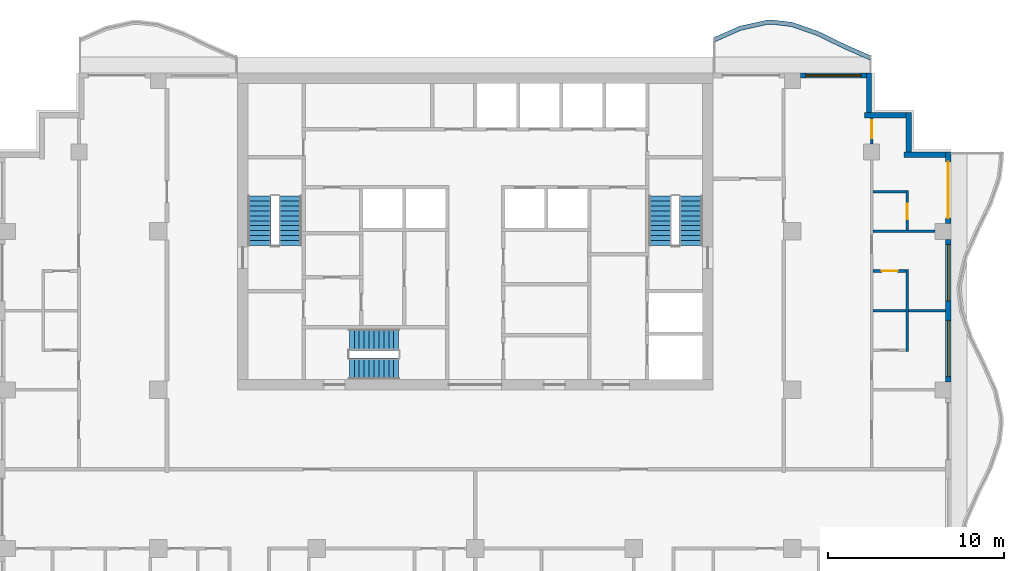
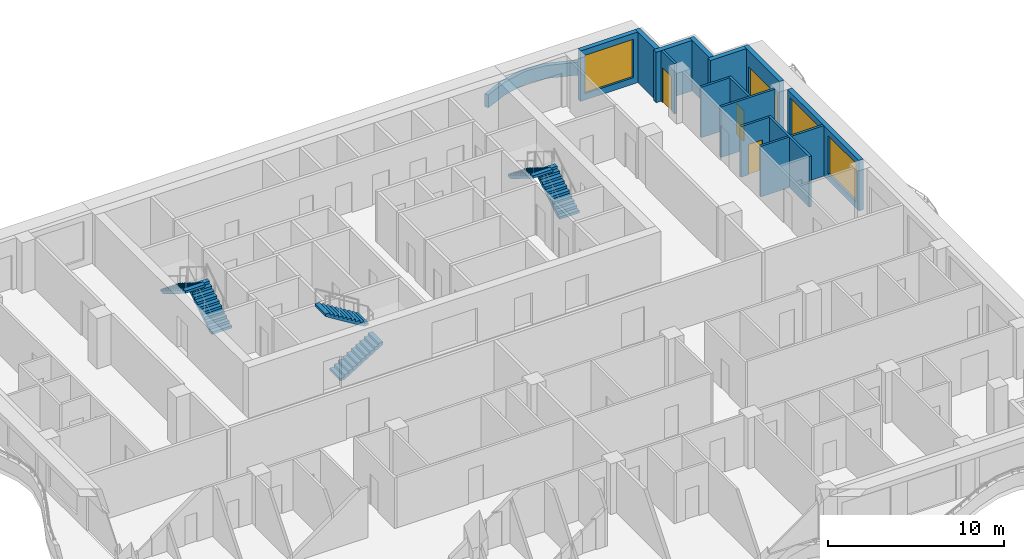
# One storey, part 7 of 11: 16 walls, 6 stair flights, 4 doors, 3 windows, 7 openings, 3 elements without a shape of their own.
"""IFC4 building model written with IfcOpenShell, lengths in metres."""

import ifcopenshell
import ifcopenshell.guid

model = None  # the IFC model being written
_history = None  # IfcOwnerHistory: only IFC2X3 demands one
_inside = {}  # id of a spatial element -> (the spatial element, [elements in it])
_under = {}  # id of a project, library or spatial element -> (it, [spatial elements below it])
_declared = {}  # id of a project -> (the project, [libraries it declares])
_typed = {}  # id of a type object -> (the type object, [elements of that type])
_made_of = {}  # id of a material, layer set ... -> (it, [elements and type objects made of it])


def new_model(schema):
    """Start an empty IFC model of exactly this schema.

    Asked for "IFC4X3", IfcOpenShell would pick the latest addendum, in which some entities
    have other attributes; the version numbers below select the first issue.
    IFC2X3 requires an IfcOwnerHistory on every rooted entity: one is made here for all.
    """
    global model, _history
    if schema == "IFC4X3":
        model = ifcopenshell.file(schema_version=(4, 3, 0, 0))
    else:
        model = ifcopenshell.file(schema=schema)
    _inside.clear()
    _under.clear()
    _declared.clear()
    _typed.clear()
    _made_of.clear()
    _history = None
    if model.schema == "IFC2X3":
        org = make("IfcOrganization", Name="unknown")
        user = make(
            "IfcPersonAndOrganization",
            ThePerson=make("IfcPerson", FamilyName="unknown"),
            TheOrganization=org,
        )
        app = make(
            "IfcApplication",
            ApplicationDeveloper=org,
            Version="unknown",
            ApplicationFullName="unknown",
            ApplicationIdentifier="unknown",
        )
        _history = make(
            "IfcOwnerHistory",
            OwningUser=user,
            OwningApplication=app,
            ChangeAction="ADDED",
            CreationDate=0,
        )
    return model


def make(cls, **values):
    """One entity of the class cls with the attributes given. An attribute that is None is left unset."""
    return model.create_entity(
        cls, **{name: value for name, value in values.items() if value is not None}
    )


def rooted(cls, **values):
    """An entity with a GlobalId (a new one), such as an element, a storey or a relation."""
    return make(cls, GlobalId=ifcopenshell.guid.new(), OwnerHistory=_history, **values)


def si_unit(unit_type, name, prefix=None):
    """IfcSIUnit, for example si_unit("LENGTHUNIT", "METRE", prefix="MILLI")."""
    return make("IfcSIUnit", UnitType=unit_type, Prefix=prefix, Name=name)


def assignment(units):
    """IfcUnitAssignment: the units of a project."""
    return None if units is None else make("IfcUnitAssignment", Units=units)


def point(xyz):
    """IfcCartesianPoint."""
    return None if xyz is None else make("IfcCartesianPoint", Coordinates=xyz)


def direction(xyz):
    """IfcDirection."""
    return None if xyz is None else make("IfcDirection", DirectionRatios=xyz)


def frame(location, z_axis=None, x_axis=None):
    """IfcAxis2Placement3D, a coordinate frame: its origin and axes. An axis left out is left unset."""
    return make(
        "IfcAxis2Placement3D",
        Location=point(location),
        Axis=direction(z_axis),
        RefDirection=direction(x_axis),
    )


def frame_2d(location, x_axis=None):
    """IfcAxis2Placement2D, a coordinate frame in the plane: its origin and x axis."""
    return make(
        "IfcAxis2Placement2D", Location=point(location), RefDirection=direction(x_axis)
    )


def origin():
    """The frame at (0, 0, 0) with its axes left unset."""
    return frame((0.0, 0.0, 0.0))


def place(relative_to, where):
    """IfcLocalPlacement: puts the frame where relative to a parent placement (None: the world)."""
    return make(
        "IfcLocalPlacement", PlacementRelTo=relative_to, RelativePlacement=where
    )


def context(
    kind, dimensions, precision=None, world=None, true_north=None, identifier=None
):
    """IfcGeometricRepresentationContext, for example the 3D "Model" context."""
    return make(
        "IfcGeometricRepresentationContext",
        ContextIdentifier=identifier,
        ContextType=kind,
        CoordinateSpaceDimension=dimensions,
        Precision=precision,
        WorldCoordinateSystem=world,
        TrueNorth=true_north,
    )


def subcontext(parent, identifier, kind, view, scale=None):
    """IfcGeometricRepresentationSubContext, for example "Body" below "Model"."""
    return make(
        "IfcGeometricRepresentationSubContext",
        ContextIdentifier=identifier,
        ContextType=kind,
        ParentContext=parent,
        TargetScale=scale,
        TargetView=view,
    )


def project(units=None, contexts=None):
    """IfcProject with its units and contexts."""
    return rooted(
        "IfcProject",
        Name="project",
        RepresentationContexts=contexts,
        UnitsInContext=assignment(units),
    )


def spatial(cls, under=None, at=None, **own):
    """A site, building, storey or space (cls), placed at a placement, below another one or the project."""
    s = rooted(cls, ObjectPlacement=at, **own)
    if under is not None:
        _under.setdefault(under.id(), (under, []))[1].append(s)
    return s


def polyline(points):
    """IfcPolyline through the points."""
    return make("IfcPolyline", Points=[point(p) for p in points])


def profile(cls, at=None, kind="AREA", **sizes):
    """A parametric profile (cls). Its sizes go by their IFC names, for example OverallWidth=200.0."""
    return make(cls, ProfileType=kind, Position=at, **sizes)


def rectangle(**sizes):
    """IfcRectangleProfileDef."""
    return profile("IfcRectangleProfileDef", **sizes)


def outline(outer, holes=None, kind="AREA"):
    """IfcArbitraryClosedProfileDef: a profile drawn as a closed curve; with holes, ...WithVoids."""
    if holes is None:
        return make("IfcArbitraryClosedProfileDef", ProfileType=kind, OuterCurve=outer)
    return make(
        "IfcArbitraryProfileDefWithVoids",
        ProfileType=kind,
        OuterCurve=outer,
        InnerCurves=holes,
    )


def extrude(swept, where, along, depth):
    """IfcExtrudedAreaSolid: the profile swept, set in the frame where, extruded along a direction by depth."""
    return make(
        "IfcExtrudedAreaSolid",
        SweptArea=swept,
        Position=where,
        ExtrudedDirection=direction(along),
        Depth=depth,
    )


def shape(context_of_items, identifier, shape_type, items):
    """IfcShapeRepresentation: the items that make up one representation, for example the "Body"."""
    return make(
        "IfcShapeRepresentation",
        ContextOfItems=context_of_items,
        RepresentationIdentifier=identifier,
        RepresentationType=shape_type,
        Items=items,
    )


def material(Name=None, Category=None):
    """IfcMaterial."""
    return make("IfcMaterial", Name=Name, Category=Category)


def layer(
    of_material, thickness, ventilated=None, Name=None, Category=None, Priority=None
):
    """IfcMaterialLayer: one layer of a wall or slab, of a material (None: an air gap)."""
    return make(
        "IfcMaterialLayer",
        Material=of_material,
        LayerThickness=thickness,
        IsVentilated=ventilated,
        Name=Name,
        Category=Category,
        Priority=Priority,
    )


def layer_set(layers, Name=None):
    """IfcMaterialLayerSet."""
    return make("IfcMaterialLayerSet", MaterialLayers=layers, LayerSetName=Name)


def made_of(thing, what):
    """Note that an element or type object is made of a material, layer set ...; save() writes the relation."""
    if what is not None:
        _made_of.setdefault(what.id(), (what, []))[1].append(thing)
    return thing


def type_object(cls, material=None, **own):
    """A type object (cls), such as IfcWallType, which elements share."""
    return made_of(rooted(cls, **own), material)


def element(
    cls,
    number,
    at=None,
    inside=None,
    cuts=None,
    type_object=None,
    material=None,
    context=None,
    identifier="Body",
    shape_type=None,
    held_by="IfcProductDefinitionShape",
    body=None,
    shapes=None,
    **own,
):
    """One element of the class cls, such as IfcWall. Its Tag is "e" and its number.

    at: its placement. inside: the storey or other place that contains it. cuts: it is an
    opening in that element (IfcRelVoidsElement). A single representation is given by context,
    identifier, shape_type and body (its items); several are given by shapes. held_by: the class
    of the entity that holds the representations. save() writes the other relations.
    """
    e = rooted(cls, Tag="e%d" % number, ObjectPlacement=at, **own)
    if body is not None:
        shapes = [shape(context, identifier, shape_type, body)]
    if shapes is not None:
        e.Representation = make(held_by, Representations=shapes)
    if inside is not None:
        _inside.setdefault(inside.id(), (inside, []))[1].append(e)
    if cuts is not None:
        rooted(
            "IfcRelVoidsElement", RelatingBuildingElement=cuts, RelatedOpeningElement=e
        )
    if type_object is not None:
        _typed.setdefault(type_object.id(), (type_object, []))[1].append(e)
    return made_of(e, material)


def fill(opening, filler):
    """IfcRelFillsElement: the door or window that sits in an opening."""
    return rooted(
        "IfcRelFillsElement",
        RelatingOpeningElement=opening,
        RelatedBuildingElement=filler,
    )


def aggregate(whole, parts):
    """IfcRelAggregates: a whole, such as a stair, and the parts it consists of."""
    return rooted("IfcRelAggregates", RelatingObject=whole, RelatedObjects=parts)


def save(model, path):
    """Write the relations noted so far, then the file.

    IfcRelAggregates (storeys below a building ...), IfcRelContainedInSpatialStructure (elements
    in a storey), IfcRelDefinesByType, IfcRelAssociatesMaterial and IfcRelDeclares: one each for
    every whole, place, type object, material and project.
    """
    for whole, parts in _under.values():
        aggregate(whole, parts)
    for where, things in _inside.values():
        rooted(
            "IfcRelContainedInSpatialStructure",
            RelatedElements=things,
            RelatingStructure=where,
        )
    for kind, things in _typed.values():
        rooted("IfcRelDefinesByType", RelatedObjects=things, RelatingType=kind)
    for what, things in _made_of.values():
        rooted("IfcRelAssociatesMaterial", RelatedObjects=things, RelatingMaterial=what)
    for by, libraries in _declared.values():
        rooted("IfcRelDeclares", RelatingContext=by, RelatedDefinitions=libraries)
    model.write(path)


model = new_model("IFC4")

# Units and contexts
model_context = context("Model", 3, precision=1e-05, world=origin(), true_north=direction((0.0, 1.0)))
body_context = subcontext(model_context, "Body", "Model", "MODEL_VIEW")
ifc_project = project(units=[si_unit("LENGTHUNIT", "METRE"), si_unit("AREAUNIT", "SQUARE_METRE"), si_unit("VOLUMEUNIT", "CUBIC_METRE"), si_unit("PLANEANGLEUNIT", "RADIAN"), si_unit("MASSUNIT", "GRAM", prefix="KILO")], contexts=[model_context])

# Site, building, storey
site_placement = place(None, origin())
site = spatial("IfcSite", under=ifc_project, at=site_placement, CompositionType="ELEMENT")
building_placement = place(site_placement, origin())
building = spatial("IfcBuilding", under=site, at=building_placement, Name="Orbiselva Terraces", CompositionType="ELEMENT")
storey_placement = place(building_placement, frame((0.0, 0.0, 238.8)))
storey = spatial("IfcBuildingStorey", under=building, at=storey_placement, Name="L60", CompositionType="ELEMENT", Elevation=238.8)

# Wall
ifc_material_1 = material(Name="Concrete C40/50", Category="concrete")
ifc_layer_1 = layer(ifc_material_1, 0.25)
ifc_layer_set_1 = layer_set([ifc_layer_1], Name="Concrete C40/50")
wall_type_1 = type_object("IfcWallType", Name="ENV-PLANTER-250x900", PredefinedType="USERDEFINED", material=ifc_layer_set_1)
wall_1_placement = place(storey_placement, origin())
element("IfcWall", 1, at=wall_1_placement, inside=storey, type_object=wall_type_1, Name="Balcony planter L60 NE", ObjectType="PLANTER", PredefinedType="USERDEFINED", context=body_context, shape_type="SweptSolid", body=[
    extrude(outline(polyline([(22.5, 23.451472), (21.0, 24.112279), (19.5, 24.844789), (18.0, 25.369208), (16.875, 25.5), (16.5, 25.485226), (15.0, 25.148528), (13.5, 24.487721), (13.600788, 24.258938), (15.078508, 24.90993), (16.532565, 25.236315), (16.865428, 25.249429), (17.943629, 25.124078), (19.40356, 24.613667), (20.894714, 23.885477), (22.399212, 23.222689), (22.5, 23.451472)])), origin(), (0.0, 0.0, 1.0), 0.9),
])

# Wall, openings, windows
ifc_material_2 = material(Name="Terracotta cladding on masonry backing", Category="masonry")
ifc_layer_2 = layer(ifc_material_2, 0.3)
ifc_layer_set_2 = layer_set([ifc_layer_2], Name="Terracotta cladding on masonry backing")
wall_type_2 = type_object("IfcWallType", Name="ENV-WALL-TERRACOTTA-300", PredefinedType="SOLIDWALL", material=ifc_layer_set_2)
wall_2_placement = place(storey_placement, frame((26.85, 13.05, 0.0), z_axis=(0.0, 0.0, 1.0), x_axis=(0.0, -1.0, 0.0)))
wall_2 = element("IfcWall", 2, at=wall_2_placement, inside=storey, type_object=wall_type_2, Name="Facade wall L60 E", PredefinedType="SOLIDWALL", context=body_context, shape_type="SweptSolid", body=[
    extrude(rectangle(XDim=8.1, YDim=0.3, at=frame_2d((4.05, 0.0))), origin(), (0.0, 0.0, 1.0), 3.5),
])
opening_1_placement = place(wall_2_placement, frame((4.6, 0.0, 0.45)))
opening_1 = element("IfcOpeningElement", 3, at=opening_1_placement, cuts=wall_2, Name="Opening WN17", PredefinedType="OPENING", context=body_context, shape_type="SweptSolid", body=[
    extrude(rectangle(XDim=3.2, YDim=2.65, at=frame_2d((1.6, 1.325))), frame((0.0, 0.16, 0.0), z_axis=(0.0, -1.0, 0.0), x_axis=(1.0, 0.0, 0.0)), (0.0, 0.0, 1.0), 0.32),
])
opening_2_placement = place(wall_2_placement, frame((0.3, 0.0, 0.45)))
opening_2 = element("IfcOpeningElement", 4, at=opening_2_placement, cuts=wall_2, Name="Opening WN17", PredefinedType="OPENING", context=body_context, shape_type="SweptSolid", body=[
    extrude(rectangle(XDim=3.2, YDim=2.65, at=frame_2d((1.6, 1.325))), frame((0.0, 0.16, 0.0), z_axis=(0.0, -1.0, 0.0), x_axis=(1.0, 0.0, 0.0)), (0.0, 0.0, 1.0), 0.32),
])
ifc_material_3 = material(Name="Clear low-e glazing in aluminium frame", Category="aluminium")
window_type_1 = type_object("IfcWindowType", Name="WINDOW 3200 X 2650 S450", PartitioningType="TRIPLE_PANEL_VERTICAL", PredefinedType="WINDOW", material=ifc_material_3)
window_1_placement = place(opening_1_placement, origin())
window_1 = element("IfcWindow", 5, at=window_1_placement, inside=storey, type_object=window_type_1, Name="Window L60 E", OverallHeight=2.65, OverallWidth=3.2, PartitioningType="SINGLE_PANEL", PredefinedType="WINDOW", context=body_context, shape_type="SweptSolid", body=[
    extrude(rectangle(XDim=3.2, YDim=2.65, at=frame_2d((1.6, 1.325))), frame((0.0, 0.03, 0.0), z_axis=(0.0, -1.0, 0.0), x_axis=(1.0, 0.0, 0.0)), (0.0, 0.0, 1.0), 0.06),
])
fill(opening_1, window_1)
window_2_placement = place(opening_2_placement, origin())
window_2 = element("IfcWindow", 6, at=window_2_placement, inside=storey, type_object=window_type_1, Name="Window L60 E", OverallHeight=2.65, OverallWidth=3.2, PartitioningType="SINGLE_PANEL", PredefinedType="WINDOW", context=body_context, shape_type="SweptSolid", body=[
    extrude(rectangle(XDim=3.2, YDim=2.65, at=frame_2d((1.6, 1.325))), frame((0.0, 0.03, 0.0), z_axis=(0.0, -1.0, 0.0), x_axis=(1.0, 0.0, 0.0)), (0.0, 0.0, 1.0), 0.06),
])
fill(opening_2, window_2)

# Wall, opening, door
wall_3_placement = place(storey_placement, frame((26.85, 18.0, 0.0), z_axis=(0.0, 0.0, 1.0), x_axis=(0.0, -1.0, 0.0)))
wall_3 = element("IfcWall", 7, at=wall_3_placement, inside=storey, type_object=wall_type_2, Name="Facade wall L60 E", PredefinedType="SOLIDWALL", context=body_context, shape_type="SweptSolid", body=[
    extrude(rectangle(XDim=4.05, YDim=0.3, at=frame_2d((2.025, 0.0))), origin(), (0.0, 0.0, 1.0), 3.5),
])
opening_3_placement = place(wall_3_placement, frame((0.55, 0.0, 0.0)))
opening_3 = element("IfcOpeningElement", 8, at=opening_3_placement, cuts=wall_3, Name="Opening Z5-A-E07", PredefinedType="OPENING", context=body_context, shape_type="SweptSolid", body=[
    extrude(rectangle(XDim=3.2, YDim=2.4, at=frame_2d((1.6, 1.2))), frame((0.0, 0.16, 0.0), z_axis=(0.0, -1.0, 0.0), x_axis=(1.0, 0.0, 0.0)), (0.0, 0.0, 1.0), 0.32),
])
door_type_1 = type_object("IfcDoorType", Name="BALCONY DOOR 3200 X 2400", OperationType="DOUBLE_DOOR_SLIDING", PredefinedType="DOOR", material=ifc_material_3)
door_1_placement = place(opening_3_placement, origin())
door_1 = element("IfcDoor", 9, at=door_1_placement, inside=storey, type_object=door_type_1, Name="Z5-A-E07", OperationType="SINGLE_SWING_LEFT", OverallHeight=2.4, OverallWidth=3.2, PredefinedType="DOOR", context=body_context, shape_type="SweptSolid", body=[
    extrude(rectangle(XDim=3.2, YDim=2.4, at=frame_2d((1.6, 1.2))), frame((0.0, 0.025, 0.0), z_axis=(0.0, -1.0, 0.0), x_axis=(1.0, 0.0, 0.0)), (0.0, 0.0, 1.0), 0.05),
])
fill(opening_3, door_1)

# Walls
wall_4_placement = place(storey_placement, frame((24.35, 17.85, 0.0), z_axis=(0.0, 0.0, 1.0), x_axis=(1.0, 0.0, 0.0)))
element("IfcWall", 10, at=wall_4_placement, inside=storey, type_object=wall_type_2, Name="Facade wall L60 STEP", PredefinedType="SOLIDWALL", context=body_context, shape_type="SweptSolid", body=[
    extrude(rectangle(XDim=2.35, YDim=0.3, at=frame_2d((1.175, 0.0))), origin(), (0.0, 0.0, 1.0), 3.5),
])
wall_5_placement = place(storey_placement, frame((24.6, 20.25, 0.0), z_axis=(0.0, 0.0, 1.0), x_axis=(0.0, -1.0, 0.0)))
element("IfcWall", 11, at=wall_5_placement, inside=storey, type_object=wall_type_2, Name="Facade wall L60 STEP", PredefinedType="SOLIDWALL", context=body_context, shape_type="SweptSolid", body=[
    extrude(rectangle(XDim=2.25, YDim=0.3, at=frame_2d((1.125, 0.0))), origin(), (0.0, 0.0, 1.0), 3.5),
])
wall_6_placement = place(storey_placement, frame((22.1, 20.1, 0.0), z_axis=(0.0, 0.0, 1.0), x_axis=(1.0, 0.0, 0.0)))
element("IfcWall", 12, at=wall_6_placement, inside=storey, type_object=wall_type_2, Name="Facade wall L60 STEP", PredefinedType="SOLIDWALL", context=body_context, shape_type="SweptSolid", body=[
    extrude(rectangle(XDim=2.35, YDim=0.3, at=frame_2d((1.175, 0.0))), origin(), (0.0, 0.0, 1.0), 3.5),
])
wall_7_placement = place(storey_placement, frame((22.35, 22.5, 0.0), z_axis=(0.0, 0.0, 1.0), x_axis=(0.0, -1.0, 0.0)))
element("IfcWall", 13, at=wall_7_placement, inside=storey, type_object=wall_type_2, Name="Facade wall L60 STEP", PredefinedType="SOLIDWALL", context=body_context, shape_type="SweptSolid", body=[
    extrude(rectangle(XDim=2.25, YDim=0.3, at=frame_2d((1.125, 0.0))), origin(), (0.0, 0.0, 1.0), 3.5),
])

# Wall, opening, window
wall_8_placement = place(storey_placement, frame((18.45, 22.35, 0.0), z_axis=(0.0, 0.0, 1.0), x_axis=(1.0, 0.0, 0.0)))
wall_8 = element("IfcWall", 14, at=wall_8_placement, inside=storey, type_object=wall_type_2, Name="Facade wall L60 NE", PredefinedType="SOLIDWALL", context=body_context, shape_type="SweptSolid", body=[
    extrude(rectangle(XDim=3.75, YDim=0.3, at=frame_2d((1.875, 0.0))), origin(), (0.0, 0.0, 1.0), 3.5),
])
opening_4_placement = place(wall_8_placement, frame((0.3, 0.0, 0.45)))
opening_4 = element("IfcOpeningElement", 15, at=opening_4_placement, cuts=wall_8, Name="Opening WN16", PredefinedType="OPENING", context=body_context, shape_type="SweptSolid", body=[
    extrude(rectangle(XDim=3.15, YDim=2.65, at=frame_2d((1.575, 1.325))), frame((0.0, 0.16, 0.0), z_axis=(0.0, -1.0, 0.0), x_axis=(1.0, 0.0, 0.0)), (0.0, 0.0, 1.0), 0.32),
])
window_type_2 = type_object("IfcWindowType", Name="WINDOW 3150 X 2650 S450", PartitioningType="TRIPLE_PANEL_VERTICAL", PredefinedType="WINDOW", material=ifc_material_3)
window_3_placement = place(opening_4_placement, origin())
window_3 = element("IfcWindow", 16, at=window_3_placement, inside=storey, type_object=window_type_2, Name="Window L60 NE", OverallHeight=2.65, OverallWidth=3.15, PartitioningType="SINGLE_PANEL", PredefinedType="WINDOW", context=body_context, shape_type="SweptSolid", body=[
    extrude(rectangle(XDim=3.15, YDim=2.65, at=frame_2d((1.575, 1.325))), frame((0.0, 0.03, 0.0), z_axis=(0.0, -1.0, 0.0), x_axis=(1.0, 0.0, 0.0)), (0.0, 0.0, 1.0), 0.06),
])
fill(opening_4, window_3)

# Walls
ifc_material_4 = material(Name="Plasterboard on steel stud partition", Category="steel")
ifc_layer_3 = layer(ifc_material_4, 0.15)
ifc_layer_set_3 = layer_set([ifc_layer_3], Name="Plasterboard on steel stud partition")
wall_type_3 = type_object("IfcWallType", Name="UNIT-PARTITION-150", PredefinedType="PARTITIONING", material=ifc_layer_set_3)
wall_9_placement = place(storey_placement, frame((22.575, 9.0, 0.0), z_axis=(0.0, 0.0, 1.0), x_axis=(1.0, 0.0, 0.0)))
element("IfcWall", 17, at=wall_9_placement, inside=storey, type_object=wall_type_3, Name="PARTITION L60-035", PredefinedType="PARTITIONING", context=body_context, shape_type="SweptSolid", body=[
    extrude(rectangle(XDim=1.875, YDim=0.15, at=frame_2d((0.9375, 0.0))), origin(), (0.0, 0.0, 1.0), 3.5),
])
wall_10_placement = place(storey_placement, frame((24.6, 9.0, 0.0), z_axis=(0.0, 0.0, 1.0), x_axis=(1.0, 0.0, 0.0)))
element("IfcWall", 18, at=wall_10_placement, inside=storey, type_object=wall_type_3, Name="PARTITION L60-036", PredefinedType="PARTITIONING", context=body_context, shape_type="SweptSolid", body=[
    extrude(rectangle(XDim=2.1, YDim=0.15, at=frame_2d((1.05, 0.0))), origin(), (0.0, 0.0, 1.0), 3.5),
])

# Wall, opening, door
wall_11_placement = place(storey_placement, frame((24.45, 11.25, 0.0), z_axis=(0.0, 0.0, 1.0), x_axis=(-1.0, 0.0, 0.0)))
wall_11 = element("IfcWall", 19, at=wall_11_placement, inside=storey, type_object=wall_type_3, Name="PARTITION L60-038", PredefinedType="PARTITIONING", context=body_context, shape_type="SweptSolid", body=[
    extrude(rectangle(XDim=1.875, YDim=0.15, at=frame_2d((0.9375, 0.0))), origin(), (0.0, 0.0, 1.0), 3.5),
])
opening_5_placement = place(wall_11_placement, frame((0.475, 0.0, 0.0)))
opening_5 = element("IfcOpeningElement", 20, at=opening_5_placement, cuts=wall_11, Name="Opening Z5-A-13", PredefinedType="OPENING", context=body_context, shape_type="SweptSolid", body=[
    extrude(rectangle(XDim=0.9, YDim=2.1, at=frame_2d((0.45, 1.05))), frame((0.0, 0.085, 0.0), z_axis=(0.0, -1.0, 0.0), x_axis=(1.0, 0.0, 0.0)), (0.0, 0.0, 1.0), 0.17),
])
ifc_material_5 = material(Name="Painted timber door leaf", Category="wood")
door_type_2 = type_object("IfcDoorType", Name="BATH DOOR 900", OperationType="NOTDEFINED", PredefinedType="DOOR", material=ifc_material_5)
door_2_placement = place(opening_5_placement, origin())
door_2 = element("IfcDoor", 21, at=door_2_placement, inside=storey, type_object=door_type_2, Name="Z5-A-13", OperationType="SINGLE_SWING_LEFT", OverallHeight=2.1, OverallWidth=0.9, PredefinedType="DOOR", context=body_context, shape_type="SweptSolid", body=[
    extrude(rectangle(XDim=0.9, YDim=2.1, at=frame_2d((0.45, 1.05))), frame((0.0, 0.025, 0.0), z_axis=(0.0, -1.0, 0.0), x_axis=(1.0, 0.0, 0.0)), (0.0, 0.0, 1.0), 0.05),
])
fill(opening_5, door_2)

# Walls
wall_12_placement = place(storey_placement, frame((22.575, 13.5, 0.0), z_axis=(0.0, 0.0, 1.0), x_axis=(1.0, 0.0, 0.0)))
element("IfcWall", 22, at=wall_12_placement, inside=storey, type_object=wall_type_3, Name="PARTITION L60-039", PredefinedType="PARTITIONING", context=body_context, shape_type="SweptSolid", body=[
    extrude(rectangle(XDim=3.525, YDim=0.15, at=frame_2d((1.7625, 0.0))), origin(), (0.0, 0.0, 1.0), 3.5),
])
wall_13_placement = place(storey_placement, frame((22.575, 15.75, 0.0), z_axis=(0.0, 0.0, 1.0), x_axis=(1.0, 0.0, 0.0)))
element("IfcWall", 23, at=wall_13_placement, inside=storey, type_object=wall_type_3, Name="PARTITION L60-040", PredefinedType="PARTITIONING", context=body_context, shape_type="SweptSolid", body=[
    extrude(rectangle(XDim=1.875, YDim=0.15, at=frame_2d((0.9375, 0.0))), origin(), (0.0, 0.0, 1.0), 3.5),
])

# Wall, opening, door
wall_14_placement = place(storey_placement, frame((22.5, 19.95, 0.0), z_axis=(0.0, 0.0, 1.0), x_axis=(0.0, -1.0, 0.0)))
wall_14 = element("IfcWall", 24, at=wall_14_placement, inside=storey, type_object=wall_type_3, Name="PARTITION L60-087", PredefinedType="PARTITIONING", context=body_context, shape_type="SweptSolid", body=[
    extrude(rectangle(XDim=1.5, YDim=0.15, at=frame_2d((0.75, 0.0))), origin(), (0.0, 0.0, 1.0), 3.5),
])
opening_6_placement = place(wall_14_placement, frame((0.15, 0.0, 0.0)))
opening_6 = element("IfcOpeningElement", 25, at=opening_6_placement, cuts=wall_14, Name="Opening Z5-A-14", PredefinedType="OPENING", context=body_context, shape_type="SweptSolid", body=[
    extrude(rectangle(XDim=1.0, YDim=2.4, at=frame_2d((0.5, 1.2))), frame((0.0, 0.085, 0.0), z_axis=(0.0, -1.0, 0.0), x_axis=(1.0, 0.0, 0.0)), (0.0, 0.0, 1.0), 0.17),
])
door_type_3 = type_object("IfcDoorType", Name="ROOM DOOR 1000", OperationType="NOTDEFINED", PredefinedType="DOOR", material=ifc_material_5)
door_3_placement = place(opening_6_placement, origin())
door_3 = element("IfcDoor", 26, at=door_3_placement, inside=storey, type_object=door_type_3, Name="Z5-A-14", OperationType="SINGLE_SWING_LEFT", OverallHeight=2.4, OverallWidth=1.0, PredefinedType="DOOR", context=body_context, shape_type="SweptSolid", body=[
    extrude(rectangle(XDim=1.0, YDim=2.4, at=frame_2d((0.5, 1.2))), frame((0.0, 0.025, 0.0), z_axis=(0.0, -1.0, 0.0), x_axis=(1.0, 0.0, 0.0)), (0.0, 0.0, 1.0), 0.05),
])
fill(opening_6, door_3)

# Wall
wall_15_placement = place(storey_placement, frame((24.525, 6.675, 0.0), z_axis=(0.0, 0.0, 1.0), x_axis=(0.0, 1.0, 0.0)))
element("IfcWall", 27, at=wall_15_placement, inside=storey, type_object=wall_type_3, Name="PARTITION L60-088", PredefinedType="PARTITIONING", context=body_context, shape_type="SweptSolid", body=[
    extrude(rectangle(XDim=4.65, YDim=0.15, at=frame_2d((2.325, 0.0))), origin(), (0.0, 0.0, 1.0), 3.5),
])

# Wall, opening, door
wall_16_placement = place(storey_placement, frame((24.525, 13.575, 0.0), z_axis=(0.0, 0.0, 1.0), x_axis=(0.0, 1.0, 0.0)))
wall_16 = element("IfcWall", 28, at=wall_16_placement, inside=storey, type_object=wall_type_3, Name="PARTITION L60-089", PredefinedType="PARTITIONING", context=body_context, shape_type="SweptSolid", body=[
    extrude(rectangle(XDim=2.25, YDim=0.15, at=frame_2d((1.125, 0.0))), origin(), (0.0, 0.0, 1.0), 3.5),
])
opening_7_placement = place(wall_16_placement, frame((0.6, 0.0, 0.0)))
opening_7 = element("IfcOpeningElement", 29, at=opening_7_placement, cuts=wall_16, Name="Opening Z5-A-15", PredefinedType="OPENING", context=body_context, shape_type="SweptSolid", body=[
    extrude(rectangle(XDim=0.9, YDim=2.1, at=frame_2d((0.45, 1.05))), frame((0.0, 0.085, 0.0), z_axis=(0.0, -1.0, 0.0), x_axis=(1.0, 0.0, 0.0)), (0.0, 0.0, 1.0), 0.17),
])
door_4_placement = place(opening_7_placement, origin())
door_4 = element("IfcDoor", 30, at=door_4_placement, inside=storey, type_object=door_type_2, Name="Z5-A-15", OperationType="SINGLE_SWING_LEFT", OverallHeight=2.1, OverallWidth=0.9, PredefinedType="DOOR", context=body_context, shape_type="SweptSolid", body=[
    extrude(rectangle(XDim=0.9, YDim=2.1, at=frame_2d((0.45, 1.05))), frame((0.0, 0.025, 0.0), z_axis=(0.0, -1.0, 0.0), x_axis=(1.0, 0.0, 0.0)), (0.0, 0.0, 1.0), 0.05),
])
fill(opening_7, door_4)

# Stair, stair flights
stair_type_1 = type_object("IfcStairType", Name="CORE-STAIR-1200", PredefinedType="HALF_TURN_STAIR", material=ifc_material_1)
stair_1_placement = place(storey_placement, origin())
stair_1 = element("IfcStair", 31, at=stair_1_placement, inside=storey, type_object=stair_type_1, Name="L60 Exit Stair S3", PredefinedType="HALF_TURN_STAIR")
stair_flight_type_1 = type_object("IfcStairFlightType", Name="CORE-STAIR-FLIGHT-1200", PredefinedType="STRAIGHT", material=ifc_material_1)
stair_flight_1_placement = place(storey_placement, frame((-7.15, 5.7, 0.0), z_axis=(0.0, 0.0, 1.0), x_axis=(1.0, 0.0, 0.0)))
stair_flight_1 = element("IfcStairFlight", 32, at=stair_flight_1_placement, type_object=stair_flight_type_1, Name="S3 flight 1", NumberOfRisers=11, NumberOfTreads=10, PredefinedType="STRAIGHT", RiserHeight=0.172727273, TreadLength=0.28, context=body_context, shape_type="SweptSolid", body=[
    extrude(outline(polyline([(0.0, 0.0), (0.0, 0.172727), (0.28, 0.172727), (0.28, 0.345455), (0.56, 0.345455), (0.56, 0.518182), (0.84, 0.518182), (0.84, 0.690909), (1.12, 0.690909), (1.12, 0.863636), (1.4, 0.863636), (1.4, 1.036364), (1.68, 1.036364), (1.68, 1.209091), (1.96, 1.209091), (1.96, 1.381818), (2.24, 1.381818), (2.24, 1.554545), (2.52, 1.554545), (2.52, 1.727273), (2.8, 1.727273), (2.8, 1.9), (2.8, 1.551028), (0.285702, 0.0), (0.0, 0.0)])), frame((0.0, 0.6, 0.0), z_axis=(0.0, -1.0, 0.0), x_axis=(1.0, 0.0, 0.0)), (0.0, 0.0, 1.0), 1.2),
])
stair_flight_2_placement = place(storey_placement, frame((-4.35, 7.35, 1.9), z_axis=(0.0, 0.0, 1.0), x_axis=(-1.0, 0.0, 0.0)))
stair_flight_2 = element("IfcStairFlight", 33, at=stair_flight_2_placement, type_object=stair_flight_type_1, Name="S3 flight 2", NumberOfRisers=11, NumberOfTreads=10, PredefinedType="STRAIGHT", RiserHeight=0.172727273, TreadLength=0.28, context=body_context, shape_type="SweptSolid", body=[
    extrude(outline(polyline([(0.0, 0.0), (0.0, 0.172727), (0.28, 0.172727), (0.28, 0.345455), (0.56, 0.345455), (0.56, 0.518182), (0.84, 0.518182), (0.84, 0.690909), (1.12, 0.690909), (1.12, 0.863636), (1.4, 0.863636), (1.4, 1.036364), (1.68, 1.036364), (1.68, 1.209091), (1.96, 1.209091), (1.96, 1.381818), (2.24, 1.381818), (2.24, 1.554545), (2.52, 1.554545), (2.52, 1.727273), (2.8, 1.727273), (2.8, 1.9), (2.8, 1.551028), (0.285702, 0.0), (0.0, 0.0)])), frame((0.0, 0.6, 0.0), z_axis=(0.0, -1.0, 0.0), x_axis=(1.0, 0.0, 0.0)), (0.0, 0.0, 1.0), 1.2),
])
aggregate(stair_1, [stair_flight_1, stair_flight_2])

stair_type_2 = type_object("IfcStairType", Name="CORE-STAIR-1300", PredefinedType="HALF_TURN_STAIR", material=ifc_material_1)
stair_2_placement = place(storey_placement, origin())
stair_2 = element("IfcStair", 34, at=stair_2_placement, inside=storey, type_object=stair_type_2, Name="L60 Exit Stair S1", PredefinedType="HALF_TURN_STAIR")
stair_flight_type_2 = type_object("IfcStairFlightType", Name="CORE-STAIR-FLIGHT-1300", PredefinedType="STRAIGHT", material=ifc_material_1)
stair_flight_3_placement = place(storey_placement, frame((-10.5, 12.7, 0.0), z_axis=(0.0, 0.0, 1.0), x_axis=(0.0, 1.0, 0.0)))
stair_flight_3 = element("IfcStairFlight", 35, at=stair_flight_3_placement, type_object=stair_flight_type_2, Name="S1 flight 1", NumberOfRisers=11, NumberOfTreads=10, PredefinedType="STRAIGHT", RiserHeight=0.172727273, TreadLength=0.28, context=body_context, shape_type="SweptSolid", body=[
    extrude(outline(polyline([(0.0, 0.0), (0.0, 0.172727), (0.28, 0.172727), (0.28, 0.345455), (0.56, 0.345455), (0.56, 0.518182), (0.84, 0.518182), (0.84, 0.690909), (1.12, 0.690909), (1.12, 0.863636), (1.4, 0.863636), (1.4, 1.036364), (1.68, 1.036364), (1.68, 1.209091), (1.96, 1.209091), (1.96, 1.381818), (2.24, 1.381818), (2.24, 1.554545), (2.52, 1.554545), (2.52, 1.727273), (2.8, 1.727273), (2.8, 1.9), (2.8, 1.551028), (0.285702, 0.0), (0.0, 0.0)])), frame((0.0, 0.65, 0.0), z_axis=(0.0, -1.0, 0.0), x_axis=(1.0, 0.0, 0.0)), (0.0, 0.0, 1.0), 1.3),
])
stair_flight_4_placement = place(storey_placement, frame((-12.25, 15.5, 1.9), z_axis=(0.0, 0.0, 1.0), x_axis=(0.0, -1.0, 0.0)))
stair_flight_4 = element("IfcStairFlight", 36, at=stair_flight_4_placement, type_object=stair_flight_type_2, Name="S1 flight 2", NumberOfRisers=11, NumberOfTreads=10, PredefinedType="STRAIGHT", RiserHeight=0.172727273, TreadLength=0.28, context=body_context, shape_type="SweptSolid", body=[
    extrude(outline(polyline([(0.0, 0.0), (0.0, 0.172727), (0.28, 0.172727), (0.28, 0.345455), (0.56, 0.345455), (0.56, 0.518182), (0.84, 0.518182), (0.84, 0.690909), (1.12, 0.690909), (1.12, 0.863636), (1.4, 0.863636), (1.4, 1.036364), (1.68, 1.036364), (1.68, 1.209091), (1.96, 1.209091), (1.96, 1.381818), (2.24, 1.381818), (2.24, 1.554545), (2.52, 1.554545), (2.52, 1.727273), (2.8, 1.727273), (2.8, 1.9), (2.8, 1.551028), (0.285702, 0.0), (0.0, 0.0)])), frame((0.0, 0.65, 0.0), z_axis=(0.0, -1.0, 0.0), x_axis=(1.0, 0.0, 0.0)), (0.0, 0.0, 1.0), 1.3),
])
aggregate(stair_2, [stair_flight_3, stair_flight_4])

stair_3_placement = place(storey_placement, origin())
stair_3 = element("IfcStair", 37, at=stair_3_placement, inside=storey, type_object=stair_type_2, Name="L60 Exit Stair S2", PredefinedType="HALF_TURN_STAIR")
stair_flight_5_placement = place(storey_placement, frame((12.25, 12.7, 0.0), z_axis=(0.0, 0.0, 1.0), x_axis=(0.0, 1.0, 0.0)))
stair_flight_5 = element("IfcStairFlight", 38, at=stair_flight_5_placement, type_object=stair_flight_type_2, Name="S2 flight 1", NumberOfRisers=11, NumberOfTreads=10, PredefinedType="STRAIGHT", RiserHeight=0.172727273, TreadLength=0.28, context=body_context, shape_type="SweptSolid", body=[
    extrude(outline(polyline([(0.0, 0.0), (0.0, 0.172727), (0.28, 0.172727), (0.28, 0.345455), (0.56, 0.345455), (0.56, 0.518182), (0.84, 0.518182), (0.84, 0.690909), (1.12, 0.690909), (1.12, 0.863636), (1.4, 0.863636), (1.4, 1.036364), (1.68, 1.036364), (1.68, 1.209091), (1.96, 1.209091), (1.96, 1.381818), (2.24, 1.381818), (2.24, 1.554545), (2.52, 1.554545), (2.52, 1.727273), (2.8, 1.727273), (2.8, 1.9), (2.8, 1.551028), (0.285702, 0.0), (0.0, 0.0)])), frame((0.0, 0.65, 0.0), z_axis=(0.0, -1.0, 0.0), x_axis=(1.0, 0.0, 0.0)), (0.0, 0.0, 1.0), 1.3),
])
stair_flight_6_placement = place(storey_placement, frame((10.5, 15.5, 1.9), z_axis=(0.0, 0.0, 1.0), x_axis=(0.0, -1.0, 0.0)))
stair_flight_6 = element("IfcStairFlight", 39, at=stair_flight_6_placement, type_object=stair_flight_type_2, Name="S2 flight 2", NumberOfRisers=11, NumberOfTreads=10, PredefinedType="STRAIGHT", RiserHeight=0.172727273, TreadLength=0.28, context=body_context, shape_type="SweptSolid", body=[
    extrude(outline(polyline([(0.0, 0.0), (0.0, 0.172727), (0.28, 0.172727), (0.28, 0.345455), (0.56, 0.345455), (0.56, 0.518182), (0.84, 0.518182), (0.84, 0.690909), (1.12, 0.690909), (1.12, 0.863636), (1.4, 0.863636), (1.4, 1.036364), (1.68, 1.036364), (1.68, 1.209091), (1.96, 1.209091), (1.96, 1.381818), (2.24, 1.381818), (2.24, 1.554545), (2.52, 1.554545), (2.52, 1.727273), (2.8, 1.727273), (2.8, 1.9), (2.8, 1.551028), (0.285702, 0.0), (0.0, 0.0)])), frame((0.0, 0.65, 0.0), z_axis=(0.0, -1.0, 0.0), x_axis=(1.0, 0.0, 0.0)), (0.0, 0.0, 1.0), 1.3),
])
aggregate(stair_3, [stair_flight_5, stair_flight_6])

save(model, "model.ifc")
